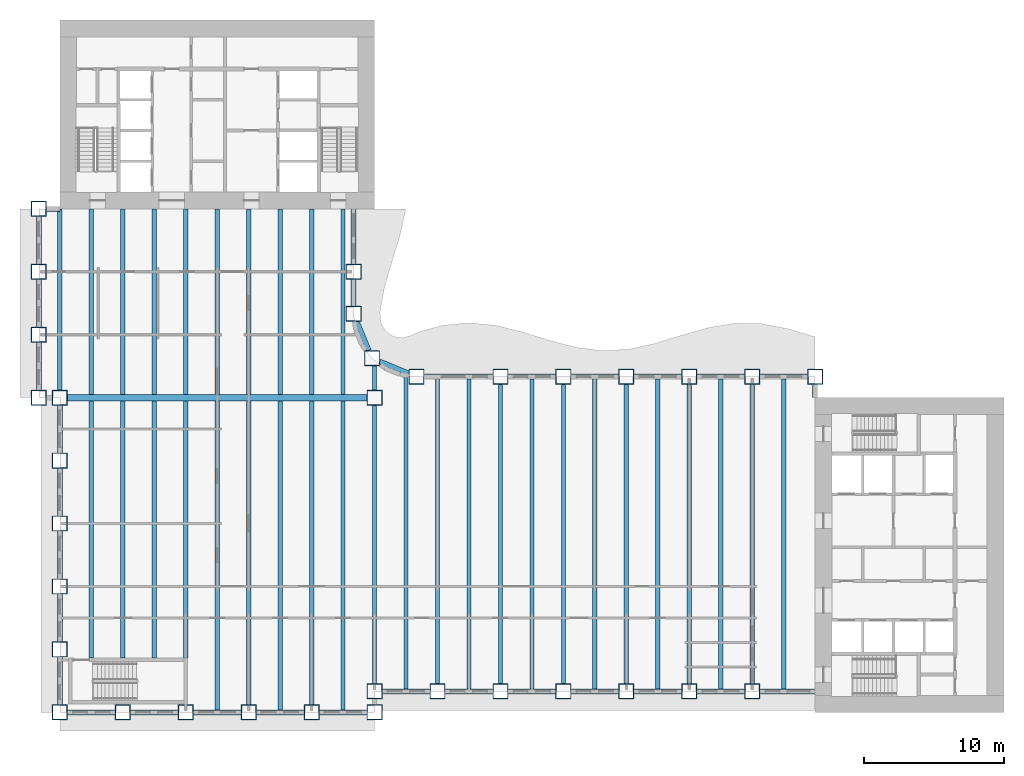
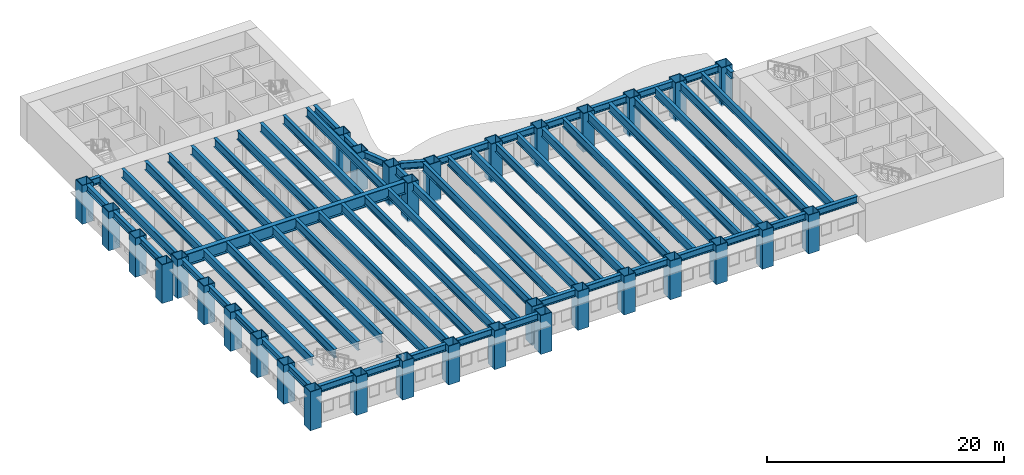
# One storey, part 1 of 17: 67 beams, 33 columns.
"""IFC4 building model written with IfcOpenShell, lengths in metres."""

from ifc_helpers import new_model, si_unit, direction, frame, origin, origin_2d, place, context, subcontext, project, spatial, hollow_rectangle, i_section, extrude, material, material_profile, profile_set, type_object, element, save


model = new_model("IFC4")

# Units and contexts
model_context = context("Model", 3, precision=1e-05, world=origin(), true_north=direction((0.0, 1.0)))
body_context = subcontext(model_context, "Body", "Model", "MODEL_VIEW")
ifc_project = project(units=[si_unit("LENGTHUNIT", "METRE"), si_unit("AREAUNIT", "SQUARE_METRE"), si_unit("VOLUMEUNIT", "CUBIC_METRE"), si_unit("PLANEANGLEUNIT", "RADIAN"), si_unit("MASSUNIT", "GRAM", prefix="KILO")], contexts=[model_context])

# Site, building, storey
site_placement = place(None, origin())
site = spatial("IfcSite", under=ifc_project, at=site_placement, CompositionType="ELEMENT")
building_placement = place(site_placement, origin())
building = spatial("IfcBuilding", under=site, at=building_placement, Name="Sennacour Bend Tower", CompositionType="ELEMENT")
storey_placement = place(building_placement, frame((0.0, 0.0, 49.0)))
storey = spatial("IfcBuildingStorey", under=building, at=storey_placement, Name="L10", CompositionType="ELEMENT", Elevation=49.0)

# Columns
ifc_material_1 = material(Name="Steel ASTM A572 Grade 50", Category="steel")
ifc_material_profile_1 = material_profile(ifc_material_1, hollow_rectangle(XDim=1.10009765625, YDim=1.10009765625, WallThickness=0.06005859375, at=origin_2d()), Name="Steel ASTM A572 Grade 50", Category="steel")
ifc_profile_set_1 = profile_set([ifc_material_profile_1], Name="Steel ASTM A572 Grade 50")
column_type = type_object("IfcColumnType", Name="Box column 1100", PredefinedType="COLUMN", material=ifc_profile_set_1)
for number, where, z_axis, x_axis, name in (
    (1, (-1.5, 22.5, -0.14990234375), (0.0, 0.0, 1.0), (1.0, 0.0, 0.0), "Perimeter column C1 L10-001"),
    (2, (-1.5, 27.0, -0.14990234375), (0.0, 0.0, 1.0), (1.0, 0.0, 0.0), "Perimeter column C1 L10-002"),
    (3, (-1.5, 31.5, -0.14990234375), (0.0, 0.0, 1.0), (1.0, 0.0, 0.0), "Perimeter column C1 L10-003"),
    (4, (-1.5, 36.0, -0.14990234375), (0.0, 0.0, 1.0), (1.0, 0.0, 0.0), "Perimeter column C1 L10-004"),
    (5, (0.0, 0.0, -0.14990234375), (0.0, 0.0, 1.0), (1.0, 0.0, 0.0), "Perimeter column C1 L10-005"),
    (6, (0.0, 4.5, -0.14990234375), (0.0, 0.0, 1.0), (1.0, 0.0, 0.0), "Perimeter column C1 L10-006"),
    (7, (0.0, 9.0, -0.14990234375), (0.0, 0.0, 1.0), (1.0, 0.0, 0.0), "Perimeter column C1 L10-007"),
    (8, (0.0, 13.5, -0.14990234375), (0.0, 0.0, 1.0), (1.0, 0.0, 0.0), "Perimeter column C1 L10-008"),
    (9, (0.0, 18.0, -0.14990234375), (0.0, 0.0, 1.0), (1.0, 0.0, 0.0), "Perimeter column C1 L10-009"),
    (10, (0.0, 22.5, -0.14990234375), (0.0, 0.0, 1.0), (1.0, 0.0, 0.0), "Perimeter column C1 L10-010"),
    (11, (4.5, 0.0, -0.14990234375), (0.0, 0.0, 1.0), (1.0, 0.0, 0.0), "Perimeter column C1 L10-011"),
    (12, (9.0, 0.0, -0.14990234375), (0.0, 0.0, 1.0), (1.0, 0.0, 0.0), "Perimeter column C1 L10-012"),
    (13, (13.5, 0.0, -0.14990234375), (0.0, 0.0, 1.0), (1.0, 0.0, 0.0), "Perimeter column C1 L10-013"),
    (14, (18.0, 0.0, -0.14990234375), (0.0, 0.0, 1.0), (1.0, 0.0, 0.0), "Perimeter column C1 L10-014"),
    (15, (21.0, 28.5, -0.14990234375), (0.0, 0.0, 1.0), (1.0, 0.0, 0.0), "Perimeter column C1 L10-015"),
    (16, (21.0, 31.5, -0.14990234375), (0.0, 0.0, 1.0), (1.0, 0.0, 0.0), "Perimeter column C1 L10-016"),
    (17, (22.318115234375, 25.318115234375, -0.14990234375), (0.0, 0.0, 1.0), (1.0, 0.0, 0.0), "Perimeter column C1 L10-017"),
    (18, (22.5, 0.0, -0.14990234375), (0.0, 0.0, 1.0), (1.0, 0.0, 0.0), "Perimeter column C1 L10-018"),
    (19, (22.5, 1.5, -0.14990234375), (0.0, 0.0, 1.0), (1.0, 0.0, 0.0), "Perimeter column C1 L10-019"),
    (20, (22.5, 22.5, -0.14990234375), (0.0, 0.0, 1.0), (1.0, 0.0, 0.0), "Knuckle column C1 L10-020"),
    (21, (25.5, 24.0, -0.14990234375), (0.0, 0.0, 1.0), (1.0, 0.0, 0.0), "Perimeter column C1 L10-021"),
    (22, (27.0, 1.5, -0.14990234375), (0.0, 0.0, 1.0), (1.0, 0.0, 0.0), "Perimeter column C1 L10-022"),
    (23, (31.5, 1.5, -0.14990234375), (0.0, 0.0, 1.0), (1.0, 0.0, 0.0), "Perimeter column C1 L10-023"),
    (24, (31.5, 24.0, -0.14990234375), (0.0, 0.0, 1.0), (1.0, 0.0, 0.0), "Perimeter column C1 L10-024"),
    (25, (36.0, 1.5, -0.14990234375), (0.0, 0.0, 1.0), (1.0, 0.0, 0.0), "Perimeter column C1 L10-025"),
    (26, (36.0, 24.0, -0.14990234375), (0.0, 0.0, 1.0), (1.0, 0.0, 0.0), "Perimeter column C1 L10-026"),
    (27, (40.5, 1.5, -0.14990234375), (0.0, 0.0, 1.0), (1.0, 0.0, 0.0), "Perimeter column C1 L10-027"),
    (28, (40.5, 24.0, -0.14990234375), (0.0, 0.0, 1.0), (1.0, 0.0, 0.0), "Perimeter column C1 L10-028"),
    (29, (45.0, 1.5, -0.14990234375), (0.0, 0.0, 1.0), (1.0, 0.0, 0.0), "Perimeter column C1 L10-029"),
    (30, (45.0, 24.0, -0.14990234375), (0.0, 0.0, 1.0), (1.0, 0.0, 0.0), "Perimeter column C1 L10-030"),
    (31, (49.5, 1.5, -0.14990234375), (0.0, 0.0, 1.0), (1.0, 0.0, 0.0), "Perimeter column C1 L10-031"),
    (32, (49.5, 24.0, -0.14990234375), (0.0, 0.0, 1.0), (1.0, 0.0, 0.0), "Perimeter column C1 L10-032"),
    (33, (54.0, 24.0, -0.14990234375), (0.0, 0.0, 1.0), (1.0, 0.0, 0.0), "Perimeter column C1 L10-033"),
):
    element("IfcColumn", number, at=place(storey_placement, frame(where, z_axis=z_axis, x_axis=x_axis)), inside=storey, type_object=column_type, Name=name, PredefinedType="COLUMN", context=body_context, shape_type="SweptSolid", body=[
        extrude(hollow_rectangle(XDim=1.10009765625, YDim=1.10009765625, WallThickness=0.06005859375, at=origin_2d()), origin(), (0.0, 0.0, 1.0), 4.0),
    ])

# Beams
ifc_material_2 = material(Name="Steel ASTM A992 Grade 50", Category="steel")
ifc_material_profile_2 = material_profile(ifc_material_2, i_section(OverallWidth=0.304931640625, OverallDepth=0.912109375, WebThickness=0.015869140625, FlangeThickness=0.02392578125, FilletRadius=0.01904296875, at=origin_2d()), Name="Steel ASTM A992 Grade 50", Category="steel")
ifc_profile_set_2 = profile_set([ifc_material_profile_2], Name="Steel ASTM A992 Grade 50")
beam_type_1 = type_object("IfcBeamType", Name="Floor beam W920X223", PredefinedType="BEAM", material=ifc_profile_set_2)
beam_1_placement = place(storey_placement, frame((0.0, 23.050048828125, 3.39404296875), z_axis=(0.0, 1.0, 0.0), x_axis=(-1.0, 0.0, 0.0)))
element("IfcBeam", 34, at=beam_1_placement, inside=storey, type_object=beam_type_1, Name="Floor beam FBM1 L11-001", PredefinedType="BEAM", context=body_context, shape_type="SweptSolid", body=[
    extrude(i_section(OverallWidth=0.304931640625, OverallDepth=0.912109375, WebThickness=0.015869140625, FlangeThickness=0.02392578125, FilletRadius=0.01904296875, at=origin_2d()), origin(), (0.0, 0.0, 1.0), 12.949951171875),
])
beam_2_placement = place(storey_placement, frame((2.25, 3.875, 3.39404296875), z_axis=(0.0, 1.0, 0.0), x_axis=(-1.0, 0.0, 0.0)))
element("IfcBeam", 35, at=beam_2_placement, inside=storey, type_object=beam_type_1, Name="Floor beam FBM1 L11-002", PredefinedType="BEAM", context=body_context, shape_type="SweptSolid", body=[
    extrude(i_section(OverallWidth=0.304931640625, OverallDepth=0.912109375, WebThickness=0.015869140625, FlangeThickness=0.02392578125, FilletRadius=0.01904296875, at=origin_2d()), origin(), (0.0, 0.0, 1.0), 18.39990234375),
])
beam_3_placement = place(storey_placement, frame((2.25, 22.72509765625, 3.39404296875), z_axis=(0.0, 1.0, 0.0), x_axis=(-1.0, 0.0, 0.0)))
element("IfcBeam", 36, at=beam_3_placement, inside=storey, type_object=beam_type_1, Name="Floor beam FBM1 L11-003", PredefinedType="BEAM", context=body_context, shape_type="SweptSolid", body=[
    extrude(i_section(OverallWidth=0.304931640625, OverallDepth=0.912109375, WebThickness=0.015869140625, FlangeThickness=0.02392578125, FilletRadius=0.01904296875, at=origin_2d()), origin(), (0.0, 0.0, 1.0), 13.27490234375),
])
beam_4_placement = place(storey_placement, frame((4.5, 3.875, 3.39404296875), z_axis=(0.0, 1.0, 0.0), x_axis=(-1.0, 0.0, 0.0)))
element("IfcBeam", 37, at=beam_4_placement, inside=storey, type_object=beam_type_1, Name="Floor beam FBM1 L11-004", PredefinedType="BEAM", context=body_context, shape_type="SweptSolid", body=[
    extrude(i_section(OverallWidth=0.304931640625, OverallDepth=0.912109375, WebThickness=0.015869140625, FlangeThickness=0.02392578125, FilletRadius=0.01904296875, at=origin_2d()), origin(), (0.0, 0.0, 1.0), 18.39990234375),
])
beam_5_placement = place(storey_placement, frame((4.5, 22.72509765625, 3.39404296875), z_axis=(0.0, 1.0, 0.0), x_axis=(-1.0, 0.0, 0.0)))
element("IfcBeam", 38, at=beam_5_placement, inside=storey, type_object=beam_type_1, Name="Floor beam FBM1 L11-005", PredefinedType="BEAM", context=body_context, shape_type="SweptSolid", body=[
    extrude(i_section(OverallWidth=0.304931640625, OverallDepth=0.912109375, WebThickness=0.015869140625, FlangeThickness=0.02392578125, FilletRadius=0.01904296875, at=origin_2d()), origin(), (0.0, 0.0, 1.0), 13.27490234375),
])
beam_6_placement = place(storey_placement, frame((6.75, 3.875, 3.39404296875), z_axis=(0.0, 1.0, 0.0), x_axis=(-1.0, 0.0, 0.0)))
element("IfcBeam", 39, at=beam_6_placement, inside=storey, type_object=beam_type_1, Name="Floor beam FBM1 L11-006", PredefinedType="BEAM", context=body_context, shape_type="SweptSolid", body=[
    extrude(i_section(OverallWidth=0.304931640625, OverallDepth=0.912109375, WebThickness=0.015869140625, FlangeThickness=0.02392578125, FilletRadius=0.01904296875, at=origin_2d()), origin(), (0.0, 0.0, 1.0), 18.39990234375),
])
beam_7_placement = place(storey_placement, frame((6.75, 22.72509765625, 3.39404296875), z_axis=(0.0, 1.0, 0.0), x_axis=(-1.0, 0.0, 0.0)))
element("IfcBeam", 40, at=beam_7_placement, inside=storey, type_object=beam_type_1, Name="Floor beam FBM1 L11-007", PredefinedType="BEAM", context=body_context, shape_type="SweptSolid", body=[
    extrude(i_section(OverallWidth=0.304931640625, OverallDepth=0.912109375, WebThickness=0.015869140625, FlangeThickness=0.02392578125, FilletRadius=0.01904296875, at=origin_2d()), origin(), (0.0, 0.0, 1.0), 13.27490234375),
])
beam_8_placement = place(storey_placement, frame((9.0, 3.875, 3.39404296875), z_axis=(0.0, 1.0, 0.0), x_axis=(-1.0, 0.0, 0.0)))
element("IfcBeam", 41, at=beam_8_placement, inside=storey, type_object=beam_type_1, Name="Floor beam FBM1 L11-008", PredefinedType="BEAM", context=body_context, shape_type="SweptSolid", body=[
    extrude(i_section(OverallWidth=0.304931640625, OverallDepth=0.912109375, WebThickness=0.015869140625, FlangeThickness=0.02392578125, FilletRadius=0.01904296875, at=origin_2d()), origin(), (0.0, 0.0, 1.0), 18.39990234375),
])
beam_9_placement = place(storey_placement, frame((9.0, 22.72509765625, 3.39404296875), z_axis=(0.0, 1.0, 0.0), x_axis=(-1.0, 0.0, 0.0)))
element("IfcBeam", 42, at=beam_9_placement, inside=storey, type_object=beam_type_1, Name="Floor beam FBM1 L11-009", PredefinedType="BEAM", context=body_context, shape_type="SweptSolid", body=[
    extrude(i_section(OverallWidth=0.304931640625, OverallDepth=0.912109375, WebThickness=0.015869140625, FlangeThickness=0.02392578125, FilletRadius=0.01904296875, at=origin_2d()), origin(), (0.0, 0.0, 1.0), 13.27490234375),
])
beam_10_placement = place(storey_placement, frame((11.25, 0.178955078125, 3.39404296875), z_axis=(0.0, 1.0, 0.0), x_axis=(-1.0, 0.0, 0.0)))
element("IfcBeam", 43, at=beam_10_placement, inside=storey, type_object=beam_type_1, Name="Floor beam FBM1 L11-010", PredefinedType="BEAM", context=body_context, shape_type="SweptSolid", body=[
    extrude(i_section(OverallWidth=0.304931640625, OverallDepth=0.912109375, WebThickness=0.015869140625, FlangeThickness=0.02392578125, FilletRadius=0.01904296875, at=origin_2d()), origin(), (0.0, 0.0, 1.0), 22.095947265625),
])
beam_11_placement = place(storey_placement, frame((11.25, 22.72509765625, 3.39404296875), z_axis=(0.0, 1.0, 0.0), x_axis=(-1.0, 0.0, 0.0)))
element("IfcBeam", 44, at=beam_11_placement, inside=storey, type_object=beam_type_1, Name="Floor beam FBM1 L11-011", PredefinedType="BEAM", context=body_context, shape_type="SweptSolid", body=[
    extrude(i_section(OverallWidth=0.304931640625, OverallDepth=0.912109375, WebThickness=0.015869140625, FlangeThickness=0.02392578125, FilletRadius=0.01904296875, at=origin_2d()), origin(), (0.0, 0.0, 1.0), 13.27490234375),
])
beam_12_placement = place(storey_placement, frame((13.5, 0.550048828125, 3.39404296875), z_axis=(0.0, 1.0, 0.0), x_axis=(-1.0, 0.0, 0.0)))
element("IfcBeam", 45, at=beam_12_placement, inside=storey, type_object=beam_type_1, Name="Floor beam FBM1 L11-012", PredefinedType="BEAM", context=body_context, shape_type="SweptSolid", body=[
    extrude(i_section(OverallWidth=0.304931640625, OverallDepth=0.912109375, WebThickness=0.015869140625, FlangeThickness=0.02392578125, FilletRadius=0.01904296875, at=origin_2d()), origin(), (0.0, 0.0, 1.0), 21.724853515625),
])
beam_13_placement = place(storey_placement, frame((13.5, 22.72509765625, 3.39404296875), z_axis=(0.0, 1.0, 0.0), x_axis=(-1.0, 0.0, 0.0)))
element("IfcBeam", 46, at=beam_13_placement, inside=storey, type_object=beam_type_1, Name="Floor beam FBM1 L11-013", PredefinedType="BEAM", context=body_context, shape_type="SweptSolid", body=[
    extrude(i_section(OverallWidth=0.304931640625, OverallDepth=0.912109375, WebThickness=0.015869140625, FlangeThickness=0.02392578125, FilletRadius=0.01904296875, at=origin_2d()), origin(), (0.0, 0.0, 1.0), 13.27490234375),
])
beam_14_placement = place(storey_placement, frame((15.75, 0.178955078125, 3.39404296875), z_axis=(0.0, 1.0, 0.0), x_axis=(-1.0, 0.0, 0.0)))
element("IfcBeam", 47, at=beam_14_placement, inside=storey, type_object=beam_type_1, Name="Floor beam FBM1 L11-014", PredefinedType="BEAM", context=body_context, shape_type="SweptSolid", body=[
    extrude(i_section(OverallWidth=0.304931640625, OverallDepth=0.912109375, WebThickness=0.015869140625, FlangeThickness=0.02392578125, FilletRadius=0.01904296875, at=origin_2d()), origin(), (0.0, 0.0, 1.0), 22.095947265625),
])
beam_15_placement = place(storey_placement, frame((15.75, 22.72509765625, 3.39404296875), z_axis=(0.0, 1.0, 0.0), x_axis=(-1.0, 0.0, 0.0)))
element("IfcBeam", 48, at=beam_15_placement, inside=storey, type_object=beam_type_1, Name="Floor beam FBM1 L11-015", PredefinedType="BEAM", context=body_context, shape_type="SweptSolid", body=[
    extrude(i_section(OverallWidth=0.304931640625, OverallDepth=0.912109375, WebThickness=0.015869140625, FlangeThickness=0.02392578125, FilletRadius=0.01904296875, at=origin_2d()), origin(), (0.0, 0.0, 1.0), 13.27490234375),
])
beam_16_placement = place(storey_placement, frame((18.0, 0.550048828125, 3.39404296875), z_axis=(0.0, 1.0, 0.0), x_axis=(-1.0, 0.0, 0.0)))
element("IfcBeam", 49, at=beam_16_placement, inside=storey, type_object=beam_type_1, Name="Floor beam FBM1 L11-016", PredefinedType="BEAM", context=body_context, shape_type="SweptSolid", body=[
    extrude(i_section(OverallWidth=0.304931640625, OverallDepth=0.912109375, WebThickness=0.015869140625, FlangeThickness=0.02392578125, FilletRadius=0.01904296875, at=origin_2d()), origin(), (0.0, 0.0, 1.0), 21.724853515625),
])
beam_17_placement = place(storey_placement, frame((18.0, 22.72509765625, 3.39404296875), z_axis=(0.0, 1.0, 0.0), x_axis=(-1.0, 0.0, 0.0)))
element("IfcBeam", 50, at=beam_17_placement, inside=storey, type_object=beam_type_1, Name="Floor beam FBM1 L11-017", PredefinedType="BEAM", context=body_context, shape_type="SweptSolid", body=[
    extrude(i_section(OverallWidth=0.304931640625, OverallDepth=0.912109375, WebThickness=0.015869140625, FlangeThickness=0.02392578125, FilletRadius=0.01904296875, at=origin_2d()), origin(), (0.0, 0.0, 1.0), 13.27490234375),
])
beam_18_placement = place(storey_placement, frame((20.25, 0.178955078125, 3.39404296875), z_axis=(0.0, 1.0, 0.0), x_axis=(-1.0, 0.0, 0.0)))
element("IfcBeam", 51, at=beam_18_placement, inside=storey, type_object=beam_type_1, Name="Floor beam FBM1 L11-018", PredefinedType="BEAM", context=body_context, shape_type="SweptSolid", body=[
    extrude(i_section(OverallWidth=0.304931640625, OverallDepth=0.912109375, WebThickness=0.015869140625, FlangeThickness=0.02392578125, FilletRadius=0.01904296875, at=origin_2d()), origin(), (0.0, 0.0, 1.0), 22.095947265625),
])
beam_19_placement = place(storey_placement, frame((20.25, 22.72509765625, 3.39404296875), z_axis=(0.0, 1.0, 0.0), x_axis=(-1.0, 0.0, 0.0)))
element("IfcBeam", 52, at=beam_19_placement, inside=storey, type_object=beam_type_1, Name="Floor beam FBM1 L11-019", PredefinedType="BEAM", context=body_context, shape_type="SweptSolid", body=[
    extrude(i_section(OverallWidth=0.304931640625, OverallDepth=0.912109375, WebThickness=0.015869140625, FlangeThickness=0.02392578125, FilletRadius=0.01904296875, at=origin_2d()), origin(), (0.0, 0.0, 1.0), 13.27490234375),
])
beam_20_placement = place(storey_placement, frame((22.5, 2.050048828125, 3.39404296875), z_axis=(0.0, 1.0, 0.0), x_axis=(-1.0, 0.0, 0.0)))
element("IfcBeam", 53, at=beam_20_placement, inside=storey, type_object=beam_type_1, Name="Floor beam FBM1 L11-020", PredefinedType="BEAM", context=body_context, shape_type="SweptSolid", body=[
    extrude(i_section(OverallWidth=0.304931640625, OverallDepth=0.912109375, WebThickness=0.015869140625, FlangeThickness=0.02392578125, FilletRadius=0.01904296875, at=origin_2d()), origin(), (0.0, 0.0, 1.0), 19.89990234375),
])
beam_21_placement = place(storey_placement, frame((22.5, 23.050048828125, 3.39404296875), z_axis=(0.0, 1.0, 0.0), x_axis=(-1.0, 0.0, 0.0)))
element("IfcBeam", 54, at=beam_21_placement, inside=storey, type_object=beam_type_1, Name="Floor beam FBM1 L11-021", PredefinedType="BEAM", context=body_context, shape_type="SweptSolid", body=[
    extrude(i_section(OverallWidth=0.304931640625, OverallDepth=0.912109375, WebThickness=0.015869140625, FlangeThickness=0.02392578125, FilletRadius=0.01904296875, at=origin_2d()), origin(), (0.0, 0.0, 1.0), 1.718017578125),
])
beam_22_placement = place(storey_placement, frame((24.75, 1.678955078125, 3.39404296875), z_axis=(0.0, 1.0, 0.0), x_axis=(-1.0, 0.0, 0.0)))
element("IfcBeam", 55, at=beam_22_placement, inside=storey, type_object=beam_type_1, Name="Floor beam FBM1 L11-022", PredefinedType="BEAM", context=body_context, shape_type="SweptSolid", body=[
    extrude(i_section(OverallWidth=0.304931640625, OverallDepth=0.912109375, WebThickness=0.015869140625, FlangeThickness=0.02392578125, FilletRadius=0.01904296875, at=origin_2d()), origin(), (0.0, 0.0, 1.0), 22.43798828125),
])
beam_23_placement = place(storey_placement, frame((27.0, 2.050048828125, 3.39404296875), z_axis=(0.0, 1.0, 0.0), x_axis=(-1.0, 0.0, 0.0)))
element("IfcBeam", 56, at=beam_23_placement, inside=storey, type_object=beam_type_1, Name="Floor beam FBM1 L11-023", PredefinedType="BEAM", context=body_context, shape_type="SweptSolid", body=[
    extrude(i_section(OverallWidth=0.304931640625, OverallDepth=0.912109375, WebThickness=0.015869140625, FlangeThickness=0.02392578125, FilletRadius=0.01904296875, at=origin_2d()), origin(), (0.0, 0.0, 1.0), 21.77099609375),
])
beam_24_placement = place(storey_placement, frame((29.25, 1.678955078125, 3.39404296875), z_axis=(0.0, 1.0, 0.0), x_axis=(-1.0, 0.0, 0.0)))
element("IfcBeam", 57, at=beam_24_placement, inside=storey, type_object=beam_type_1, Name="Floor beam FBM1 L11-024", PredefinedType="BEAM", context=body_context, shape_type="SweptSolid", body=[
    extrude(i_section(OverallWidth=0.304931640625, OverallDepth=0.912109375, WebThickness=0.015869140625, FlangeThickness=0.02392578125, FilletRadius=0.01904296875, at=origin_2d()), origin(), (0.0, 0.0, 1.0), 22.14208984375),
])
beam_25_placement = place(storey_placement, frame((31.5, 2.050048828125, 3.39404296875), z_axis=(0.0, 1.0, 0.0), x_axis=(-1.0, 0.0, 0.0)))
element("IfcBeam", 58, at=beam_25_placement, inside=storey, type_object=beam_type_1, Name="Floor beam FBM1 L11-025", PredefinedType="BEAM", context=body_context, shape_type="SweptSolid", body=[
    extrude(i_section(OverallWidth=0.304931640625, OverallDepth=0.912109375, WebThickness=0.015869140625, FlangeThickness=0.02392578125, FilletRadius=0.01904296875, at=origin_2d()), origin(), (0.0, 0.0, 1.0), 21.39990234375),
])
beam_26_placement = place(storey_placement, frame((33.75, 1.678955078125, 3.39404296875), z_axis=(0.0, 1.0, 0.0), x_axis=(-1.0, 0.0, 0.0)))
element("IfcBeam", 59, at=beam_26_placement, inside=storey, type_object=beam_type_1, Name="Floor beam FBM1 L11-026", PredefinedType="BEAM", context=body_context, shape_type="SweptSolid", body=[
    extrude(i_section(OverallWidth=0.304931640625, OverallDepth=0.912109375, WebThickness=0.015869140625, FlangeThickness=0.02392578125, FilletRadius=0.01904296875, at=origin_2d()), origin(), (0.0, 0.0, 1.0), 22.14208984375),
])
beam_27_placement = place(storey_placement, frame((36.0, 2.050048828125, 3.39404296875), z_axis=(0.0, 1.0, 0.0), x_axis=(-1.0, 0.0, 0.0)))
element("IfcBeam", 60, at=beam_27_placement, inside=storey, type_object=beam_type_1, Name="Floor beam FBM1 L11-027", PredefinedType="BEAM", context=body_context, shape_type="SweptSolid", body=[
    extrude(i_section(OverallWidth=0.304931640625, OverallDepth=0.912109375, WebThickness=0.015869140625, FlangeThickness=0.02392578125, FilletRadius=0.01904296875, at=origin_2d()), origin(), (0.0, 0.0, 1.0), 21.39990234375),
])
beam_28_placement = place(storey_placement, frame((38.25, 1.678955078125, 3.39404296875), z_axis=(0.0, 1.0, 0.0), x_axis=(-1.0, 0.0, 0.0)))
element("IfcBeam", 61, at=beam_28_placement, inside=storey, type_object=beam_type_1, Name="Floor beam FBM1 L11-028", PredefinedType="BEAM", context=body_context, shape_type="SweptSolid", body=[
    extrude(i_section(OverallWidth=0.304931640625, OverallDepth=0.912109375, WebThickness=0.015869140625, FlangeThickness=0.02392578125, FilletRadius=0.01904296875, at=origin_2d()), origin(), (0.0, 0.0, 1.0), 22.14208984375),
])
beam_29_placement = place(storey_placement, frame((40.5, 2.050048828125, 3.39404296875), z_axis=(0.0, 1.0, 0.0), x_axis=(-1.0, 0.0, 0.0)))
element("IfcBeam", 62, at=beam_29_placement, inside=storey, type_object=beam_type_1, Name="Floor beam FBM1 L11-029", PredefinedType="BEAM", context=body_context, shape_type="SweptSolid", body=[
    extrude(i_section(OverallWidth=0.304931640625, OverallDepth=0.912109375, WebThickness=0.015869140625, FlangeThickness=0.02392578125, FilletRadius=0.01904296875, at=origin_2d()), origin(), (0.0, 0.0, 1.0), 21.39990234375),
])
beam_30_placement = place(storey_placement, frame((42.75, 1.678955078125, 3.39404296875), z_axis=(0.0, 1.0, 0.0), x_axis=(-1.0, 0.0, 0.0)))
element("IfcBeam", 63, at=beam_30_placement, inside=storey, type_object=beam_type_1, Name="Floor beam FBM1 L11-030", PredefinedType="BEAM", context=body_context, shape_type="SweptSolid", body=[
    extrude(i_section(OverallWidth=0.304931640625, OverallDepth=0.912109375, WebThickness=0.015869140625, FlangeThickness=0.02392578125, FilletRadius=0.01904296875, at=origin_2d()), origin(), (0.0, 0.0, 1.0), 22.14208984375),
])
beam_31_placement = place(storey_placement, frame((45.0, 2.050048828125, 3.39404296875), z_axis=(0.0, 1.0, 0.0), x_axis=(-1.0, 0.0, 0.0)))
element("IfcBeam", 64, at=beam_31_placement, inside=storey, type_object=beam_type_1, Name="Floor beam FBM1 L11-031", PredefinedType="BEAM", context=body_context, shape_type="SweptSolid", body=[
    extrude(i_section(OverallWidth=0.304931640625, OverallDepth=0.912109375, WebThickness=0.015869140625, FlangeThickness=0.02392578125, FilletRadius=0.01904296875, at=origin_2d()), origin(), (0.0, 0.0, 1.0), 21.39990234375),
])
beam_32_placement = place(storey_placement, frame((47.25, 1.678955078125, 3.39404296875), z_axis=(0.0, 1.0, 0.0), x_axis=(-1.0, 0.0, 0.0)))
element("IfcBeam", 65, at=beam_32_placement, inside=storey, type_object=beam_type_1, Name="Floor beam FBM1 L11-032", PredefinedType="BEAM", context=body_context, shape_type="SweptSolid", body=[
    extrude(i_section(OverallWidth=0.304931640625, OverallDepth=0.912109375, WebThickness=0.015869140625, FlangeThickness=0.02392578125, FilletRadius=0.01904296875, at=origin_2d()), origin(), (0.0, 0.0, 1.0), 22.14208984375),
])
beam_33_placement = place(storey_placement, frame((49.5, 2.050048828125, 3.39404296875), z_axis=(0.0, 1.0, 0.0), x_axis=(-1.0, 0.0, 0.0)))
element("IfcBeam", 66, at=beam_33_placement, inside=storey, type_object=beam_type_1, Name="Floor beam FBM1 L11-033", PredefinedType="BEAM", context=body_context, shape_type="SweptSolid", body=[
    extrude(i_section(OverallWidth=0.304931640625, OverallDepth=0.912109375, WebThickness=0.015869140625, FlangeThickness=0.02392578125, FilletRadius=0.01904296875, at=origin_2d()), origin(), (0.0, 0.0, 1.0), 21.39990234375),
])
beam_34_placement = place(storey_placement, frame((51.75, 1.678955078125, 3.39404296875), z_axis=(0.0, 1.0, 0.0), x_axis=(-1.0, 0.0, 0.0)))
element("IfcBeam", 67, at=beam_34_placement, inside=storey, type_object=beam_type_1, Name="Floor beam FBM1 L11-034", PredefinedType="BEAM", context=body_context, shape_type="SweptSolid", body=[
    extrude(i_section(OverallWidth=0.304931640625, OverallDepth=0.912109375, WebThickness=0.015869140625, FlangeThickness=0.02392578125, FilletRadius=0.01904296875, at=origin_2d()), origin(), (0.0, 0.0, 1.0), 22.14208984375),
])
ifc_material_profile_3 = material_profile(ifc_material_1, i_section(OverallWidth=0.449951171875, OverallDepth=1.25, WebThickness=0.028076171875, FlangeThickness=0.050048828125, at=origin_2d()), Name="Steel ASTM A572 Grade 50", Category="steel")
ifc_profile_set_3 = profile_set([ifc_material_profile_3], Name="Steel ASTM A572 Grade 50")
beam_type_2 = type_object("IfcBeamType", Name="Knuckle girder 1250", PredefinedType="USERDEFINED", material=ifc_profile_set_3)
beam_35_placement = place(storey_placement, frame((0.550048828125, 22.5, 3.22509765625), z_axis=(1.0, 0.0, 0.0), x_axis=(0.0, 1.0, 0.0)))
element("IfcBeam", 68, at=beam_35_placement, inside=storey, type_object=beam_type_2, Name="Knuckle girder GK L11-001", ObjectType="KNUCKLE GIRDER", PredefinedType="USERDEFINED", context=body_context, shape_type="SweptSolid", body=[
    extrude(i_section(OverallWidth=0.449951171875, OverallDepth=1.25, WebThickness=0.028076171875, FlangeThickness=0.050048828125, at=origin_2d()), origin(), (0.0, 0.0, 1.0), 21.39990234375),
])
ifc_material_profile_4 = material_profile(ifc_material_2, i_section(OverallWidth=0.35791015625, OverallDepth=0.7060546875, WebThickness=0.018310546875, FlangeThickness=0.0302734375, FilletRadius=0.02001953125, at=origin_2d()), Name="Steel ASTM A992 Grade 50", Category="steel")
ifc_profile_set_4 = profile_set([ifc_material_profile_4], Name="Steel ASTM A992 Grade 50")
beam_type_3 = type_object("IfcBeamType", Name="Spandrel beam W690X265", PredefinedType="SPANDREL", material=ifc_profile_set_4)
for number, where, z_axis, x_axis, name in (
    (69, (0.0, 0.550048828125, 3.4970703125), (0.0, 1.0, 0.0), (-1.0, 0.0, 0.0), "Spandrel beam SP2 L11-001"),
    (70, (0.0, 5.050048828125, 3.4970703125), (0.0, 1.0, 0.0), (-1.0, 0.0, 0.0), "Spandrel beam SP2 L11-002"),
    (71, (0.0, 9.550048828125, 3.4970703125), (0.0, 1.0, 0.0), (-1.0, 0.0, 0.0), "Spandrel beam SP2 L11-003"),
    (72, (0.0, 14.050048828125, 3.4970703125), (0.0, 1.0, 0.0), (-1.0, 0.0, 0.0), "Spandrel beam SP2 L11-004"),
    (73, (0.0, 18.550048828125, 3.4970703125), (0.0, 1.0, 0.0), (-1.0, 0.0, 0.0), "Spandrel beam SP2 L11-005"),
    (74, (-1.5, 23.050048828125, 3.4970703125), (0.0, 1.0, 0.0), (-1.0, 0.0, 0.0), "Spandrel beam SP2 L11-006"),
    (75, (-1.5, 27.550048828125, 3.4970703125), (0.0, 1.0, 0.0), (-1.0, 0.0, 0.0), "Spandrel beam SP2 L11-007"),
    (76, (-1.5, 32.050048828125, 3.4970703125), (0.0, 1.0, 0.0), (-1.0, 0.0, 0.0), "Spandrel beam SP2 L11-008"),
):
    element("IfcBeam", number, at=place(storey_placement, frame(where, z_axis=z_axis, x_axis=x_axis)), inside=storey, type_object=beam_type_3, Name=name, PredefinedType="SPANDREL", context=body_context, shape_type="SweptSolid", body=[
        extrude(i_section(OverallWidth=0.35791015625, OverallDepth=0.7060546875, WebThickness=0.018310546875, FlangeThickness=0.0302734375, FilletRadius=0.02001953125, at=origin_2d()), origin(), (0.0, 0.0, 1.0), 3.39990234375),
    ])
beam_36_placement = place(storey_placement, frame((-0.949951171875, 36.0, 3.4970703125), z_axis=(1.0, 0.0, 0.0), x_axis=(0.0, 1.0, 0.0)))
element("IfcBeam", 77, at=beam_36_placement, inside=storey, type_object=beam_type_3, Name="Spandrel beam SP2 L11-009", PredefinedType="SPANDREL", context=body_context, shape_type="SweptSolid", body=[
    extrude(i_section(OverallWidth=0.35791015625, OverallDepth=0.7060546875, WebThickness=0.018310546875, FlangeThickness=0.0302734375, FilletRadius=0.02001953125, at=origin_2d()), origin(), (0.0, 0.0, 1.0), 0.949951171875),
])
beam_37_placement = place(storey_placement, frame((21.0, 36.0, 3.4970703125), z_axis=(0.0, -1.0, 0.0), x_axis=(1.0, 0.0, 0.0)))
element("IfcBeam", 78, at=beam_37_placement, inside=storey, type_object=beam_type_3, Name="Spandrel beam SP2 L11-010", PredefinedType="SPANDREL", context=body_context, shape_type="SweptSolid", body=[
    extrude(i_section(OverallWidth=0.35791015625, OverallDepth=0.7060546875, WebThickness=0.018310546875, FlangeThickness=0.0302734375, FilletRadius=0.02001953125, at=origin_2d()), origin(), (0.0, 0.0, 1.0), 3.949951171875),
])
beam_38_placement = place(storey_placement, frame((21.0, 30.949951171875, 3.4970703125), z_axis=(0.0, -1.0, 0.0), x_axis=(1.0, 0.0, 0.0)))
element("IfcBeam", 79, at=beam_38_placement, inside=storey, type_object=beam_type_3, Name="Spandrel beam SP2 L11-011", PredefinedType="SPANDREL", context=body_context, shape_type="SweptSolid", body=[
    extrude(i_section(OverallWidth=0.35791015625, OverallDepth=0.7060546875, WebThickness=0.018310546875, FlangeThickness=0.0302734375, FilletRadius=0.02001953125, at=origin_2d()), origin(), (0.0, 0.0, 1.0), 1.89990234375),
])
for number, where, z_axis, x_axis, name in (
    (80, (21.227783203125, 27.949951171875, 3.4970703125), (0.382645217415, -0.923895360736, 0.0), (0.923895360736, 0.382645217415, 0.0), "Spandrel beam SP2 L11-012"),
    (81, (22.867919921875, 25.090087890625, 3.4970703125), (0.923895360736, -0.382645217415, 0.0), (0.382645217415, 0.923895360736, 0.0), "Spandrel beam SP2 L11-013"),
):
    element("IfcBeam", number, at=place(storey_placement, frame(where, z_axis=z_axis, x_axis=x_axis)), inside=storey, type_object=beam_type_3, Name=name, PredefinedType="SPANDREL", context=body_context, shape_type="SweptSolid", body=[
        extrude(i_section(OverallWidth=0.35791015625, OverallDepth=0.7060546875, WebThickness=0.018310546875, FlangeThickness=0.0302734375, FilletRadius=0.02001953125, at=origin_2d()), origin(), (0.0, 0.0, 1.0), 2.25341796875),
    ])
beam_39_placement = place(storey_placement, frame((26.050048828125, 24.0, 3.4970703125), z_axis=(1.0, 0.0, 0.0), x_axis=(0.0, 1.0, 0.0)))
element("IfcBeam", 82, at=beam_39_placement, inside=storey, type_object=beam_type_3, Name="Spandrel beam SP2 L11-014", PredefinedType="SPANDREL", context=body_context, shape_type="SweptSolid", body=[
    extrude(i_section(OverallWidth=0.35791015625, OverallDepth=0.7060546875, WebThickness=0.018310546875, FlangeThickness=0.0302734375, FilletRadius=0.02001953125, at=origin_2d()), origin(), (0.0, 0.0, 1.0), 4.89990234375),
])
for number, where, z_axis, x_axis, name in (
    (83, (32.050048828125, 24.0, 3.4970703125), (1.0, 0.0, 0.0), (0.0, 1.0, 0.0), "Spandrel beam SP2 L11-015"),
    (84, (36.550048828125, 24.0, 3.4970703125), (1.0, 0.0, 0.0), (0.0, 1.0, 0.0), "Spandrel beam SP2 L11-016"),
    (85, (41.050048828125, 24.0, 3.4970703125), (1.0, 0.0, 0.0), (0.0, 1.0, 0.0), "Spandrel beam SP2 L11-017"),
    (86, (45.550048828125, 24.0, 3.4970703125), (1.0, 0.0, 0.0), (0.0, 1.0, 0.0), "Spandrel beam SP2 L11-018"),
    (87, (50.050048828125, 24.0, 3.4970703125), (1.0, 0.0, 0.0), (0.0, 1.0, 0.0), "Spandrel beam SP2 L11-019"),
):
    element("IfcBeam", number, at=place(storey_placement, frame(where, z_axis=z_axis, x_axis=x_axis)), inside=storey, type_object=beam_type_3, Name=name, PredefinedType="SPANDREL", context=body_context, shape_type="SweptSolid", body=[
        extrude(i_section(OverallWidth=0.35791015625, OverallDepth=0.7060546875, WebThickness=0.018310546875, FlangeThickness=0.0302734375, FilletRadius=0.02001953125, at=origin_2d()), origin(), (0.0, 0.0, 1.0), 3.39990234375),
    ])
beam_40_placement = place(storey_placement, frame((54.0, 23.449951171875, 3.4970703125), z_axis=(0.0, -1.0, 0.0), x_axis=(1.0, 0.0, 0.0)))
element("IfcBeam", 88, at=beam_40_placement, inside=storey, type_object=beam_type_3, Name="Spandrel beam SP2 L11-020", PredefinedType="SPANDREL", context=body_context, shape_type="SweptSolid", body=[
    extrude(i_section(OverallWidth=0.35791015625, OverallDepth=0.7060546875, WebThickness=0.018310546875, FlangeThickness=0.0302734375, FilletRadius=0.02001953125, at=origin_2d()), origin(), (0.0, 0.0, 1.0), 0.949951171875),
])
beam_41_placement = place(storey_placement, frame((54.0, 1.5, 3.4970703125), z_axis=(-1.0, 0.0, 0.0), x_axis=(0.0, -1.0, 0.0)))
element("IfcBeam", 89, at=beam_41_placement, inside=storey, type_object=beam_type_3, Name="Spandrel beam SP2 L11-021", PredefinedType="SPANDREL", context=body_context, shape_type="SweptSolid", body=[
    extrude(i_section(OverallWidth=0.35791015625, OverallDepth=0.7060546875, WebThickness=0.018310546875, FlangeThickness=0.0302734375, FilletRadius=0.02001953125, at=origin_2d()), origin(), (0.0, 0.0, 1.0), 3.949951171875),
])
for number, where, z_axis, x_axis, name in (
    (90, (48.949951171875, 1.5, 3.4970703125), (-1.0, 0.0, 0.0), (0.0, -1.0, 0.0), "Spandrel beam SP2 L11-022"),
    (91, (44.449951171875, 1.5, 3.4970703125), (-1.0, 0.0, 0.0), (0.0, -1.0, 0.0), "Spandrel beam SP2 L11-023"),
    (92, (39.949951171875, 1.5, 3.4970703125), (-1.0, 0.0, 0.0), (0.0, -1.0, 0.0), "Spandrel beam SP2 L11-024"),
    (93, (35.449951171875, 1.5, 3.4970703125), (-1.0, 0.0, 0.0), (0.0, -1.0, 0.0), "Spandrel beam SP2 L11-025"),
    (94, (30.949951171875, 1.5, 3.4970703125), (-1.0, 0.0, 0.0), (0.0, -1.0, 0.0), "Spandrel beam SP2 L11-026"),
    (95, (26.449951171875, 1.5, 3.4970703125), (-1.0, 0.0, 0.0), (0.0, -1.0, 0.0), "Spandrel beam SP2 L11-027"),
    (96, (21.949951171875, 0.0, 3.4970703125), (-1.0, 0.0, 0.0), (0.0, -1.0, 0.0), "Spandrel beam SP2 L11-028"),
    (97, (17.449951171875, 0.0, 3.4970703125), (-1.0, 0.0, 0.0), (0.0, -1.0, 0.0), "Spandrel beam SP2 L11-029"),
    (98, (12.949951171875, 0.0, 3.4970703125), (-1.0, 0.0, 0.0), (0.0, -1.0, 0.0), "Spandrel beam SP2 L11-030"),
    (99, (8.449951171875, 0.0, 3.4970703125), (-1.0, 0.0, 0.0), (0.0, -1.0, 0.0), "Spandrel beam SP2 L11-031"),
    (100, (3.949951171875, 0.0, 3.4970703125), (-1.0, 0.0, 0.0), (0.0, -1.0, 0.0), "Spandrel beam SP2 L11-032"),
):
    element("IfcBeam", number, at=place(storey_placement, frame(where, z_axis=z_axis, x_axis=x_axis)), inside=storey, type_object=beam_type_3, Name=name, PredefinedType="SPANDREL", context=body_context, shape_type="SweptSolid", body=[
        extrude(i_section(OverallWidth=0.35791015625, OverallDepth=0.7060546875, WebThickness=0.018310546875, FlangeThickness=0.0302734375, FilletRadius=0.02001953125, at=origin_2d()), origin(), (0.0, 0.0, 1.0), 3.39990234375),
    ])

save(model, "model.ifc")
